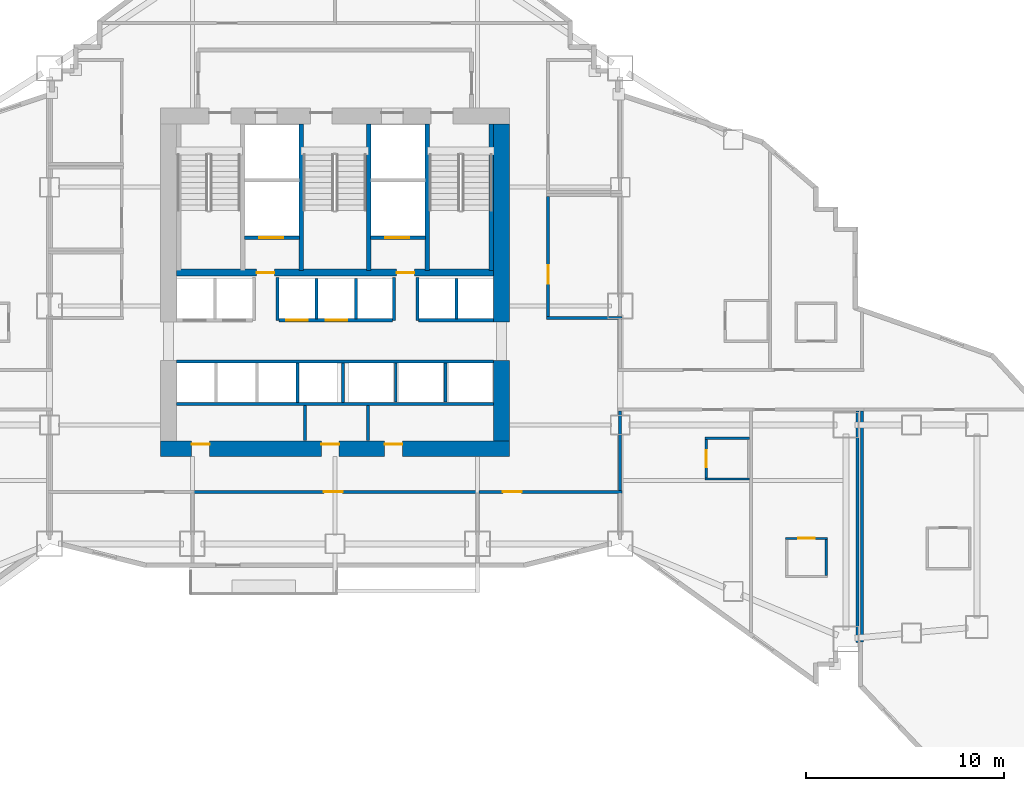
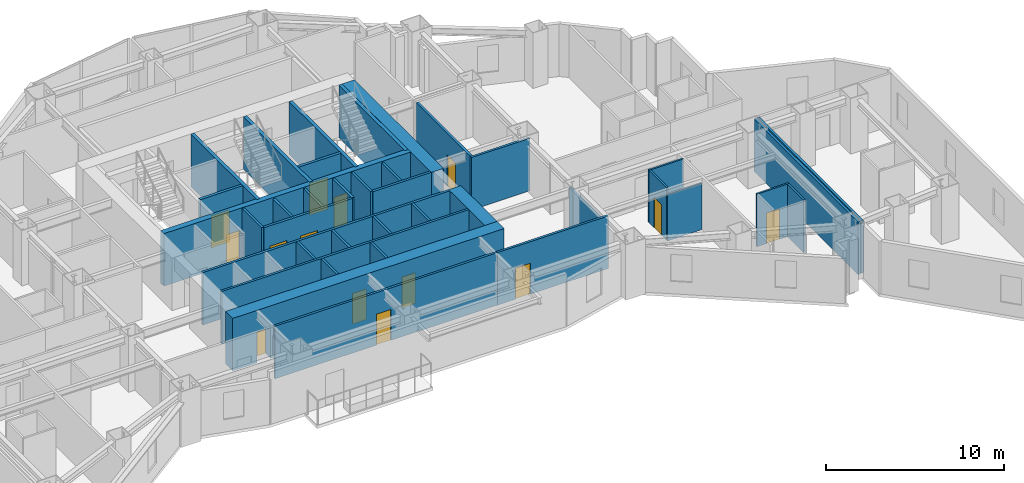
# One storey, part 9 of 17: 38 walls, 14 doors, 14 openings.
"""IFC4 building model written with IfcOpenShell, lengths in metres."""

import ifcopenshell
import ifcopenshell.guid

model = None  # the IFC model being written
_history = None  # IfcOwnerHistory: only IFC2X3 demands one
_inside = {}  # id of a spatial element -> (the spatial element, [elements in it])
_under = {}  # id of a project, library or spatial element -> (it, [spatial elements below it])
_declared = {}  # id of a project -> (the project, [libraries it declares])
_typed = {}  # id of a type object -> (the type object, [elements of that type])
_made_of = {}  # id of a material, layer set ... -> (it, [elements and type objects made of it])


def new_model(schema):
    """Start an empty IFC model of exactly this schema.

    Asked for "IFC4X3", IfcOpenShell would pick the latest addendum, in which some entities
    have other attributes; the version numbers below select the first issue.
    IFC2X3 requires an IfcOwnerHistory on every rooted entity: one is made here for all.
    """
    global model, _history
    if schema == "IFC4X3":
        model = ifcopenshell.file(schema_version=(4, 3, 0, 0))
    else:
        model = ifcopenshell.file(schema=schema)
    _inside.clear()
    _under.clear()
    _declared.clear()
    _typed.clear()
    _made_of.clear()
    _history = None
    if model.schema == "IFC2X3":
        org = make("IfcOrganization", Name="unknown")
        user = make(
            "IfcPersonAndOrganization",
            ThePerson=make("IfcPerson", FamilyName="unknown"),
            TheOrganization=org,
        )
        app = make(
            "IfcApplication",
            ApplicationDeveloper=org,
            Version="unknown",
            ApplicationFullName="unknown",
            ApplicationIdentifier="unknown",
        )
        _history = make(
            "IfcOwnerHistory",
            OwningUser=user,
            OwningApplication=app,
            ChangeAction="ADDED",
            CreationDate=0,
        )
    return model


def make(cls, **values):
    """One entity of the class cls with the attributes given. An attribute that is None is left unset."""
    return model.create_entity(
        cls, **{name: value for name, value in values.items() if value is not None}
    )


def rooted(cls, **values):
    """An entity with a GlobalId (a new one), such as an element, a storey or a relation."""
    return make(cls, GlobalId=ifcopenshell.guid.new(), OwnerHistory=_history, **values)


def si_unit(unit_type, name, prefix=None):
    """IfcSIUnit, for example si_unit("LENGTHUNIT", "METRE", prefix="MILLI")."""
    return make("IfcSIUnit", UnitType=unit_type, Prefix=prefix, Name=name)


def assignment(units):
    """IfcUnitAssignment: the units of a project."""
    return None if units is None else make("IfcUnitAssignment", Units=units)


def point(xyz):
    """IfcCartesianPoint."""
    return None if xyz is None else make("IfcCartesianPoint", Coordinates=xyz)


def direction(xyz):
    """IfcDirection."""
    return None if xyz is None else make("IfcDirection", DirectionRatios=xyz)


def frame(location, z_axis=None, x_axis=None):
    """IfcAxis2Placement3D, a coordinate frame: its origin and axes. An axis left out is left unset."""
    return make(
        "IfcAxis2Placement3D",
        Location=point(location),
        Axis=direction(z_axis),
        RefDirection=direction(x_axis),
    )


def frame_2d(location, x_axis=None):
    """IfcAxis2Placement2D, a coordinate frame in the plane: its origin and x axis."""
    return make(
        "IfcAxis2Placement2D", Location=point(location), RefDirection=direction(x_axis)
    )


def origin():
    """The frame at (0, 0, 0) with its axes left unset."""
    return frame((0.0, 0.0, 0.0))


def place(relative_to, where):
    """IfcLocalPlacement: puts the frame where relative to a parent placement (None: the world)."""
    return make(
        "IfcLocalPlacement", PlacementRelTo=relative_to, RelativePlacement=where
    )


def context(
    kind, dimensions, precision=None, world=None, true_north=None, identifier=None
):
    """IfcGeometricRepresentationContext, for example the 3D "Model" context."""
    return make(
        "IfcGeometricRepresentationContext",
        ContextIdentifier=identifier,
        ContextType=kind,
        CoordinateSpaceDimension=dimensions,
        Precision=precision,
        WorldCoordinateSystem=world,
        TrueNorth=true_north,
    )


def subcontext(parent, identifier, kind, view, scale=None):
    """IfcGeometricRepresentationSubContext, for example "Body" below "Model"."""
    return make(
        "IfcGeometricRepresentationSubContext",
        ContextIdentifier=identifier,
        ContextType=kind,
        ParentContext=parent,
        TargetScale=scale,
        TargetView=view,
    )


def project(units=None, contexts=None):
    """IfcProject with its units and contexts."""
    return rooted(
        "IfcProject",
        Name="project",
        RepresentationContexts=contexts,
        UnitsInContext=assignment(units),
    )


def spatial(cls, under=None, at=None, **own):
    """A site, building, storey or space (cls), placed at a placement, below another one or the project."""
    s = rooted(cls, ObjectPlacement=at, **own)
    if under is not None:
        _under.setdefault(under.id(), (under, []))[1].append(s)
    return s


def profile(cls, at=None, kind="AREA", **sizes):
    """A parametric profile (cls). Its sizes go by their IFC names, for example OverallWidth=200.0."""
    return make(cls, ProfileType=kind, Position=at, **sizes)


def rectangle(**sizes):
    """IfcRectangleProfileDef."""
    return profile("IfcRectangleProfileDef", **sizes)


def extrude(swept, where, along, depth):
    """IfcExtrudedAreaSolid: the profile swept, set in the frame where, extruded along a direction by depth."""
    return make(
        "IfcExtrudedAreaSolid",
        SweptArea=swept,
        Position=where,
        ExtrudedDirection=direction(along),
        Depth=depth,
    )


def shape(context_of_items, identifier, shape_type, items):
    """IfcShapeRepresentation: the items that make up one representation, for example the "Body"."""
    return make(
        "IfcShapeRepresentation",
        ContextOfItems=context_of_items,
        RepresentationIdentifier=identifier,
        RepresentationType=shape_type,
        Items=items,
    )


def material(Name=None, Category=None):
    """IfcMaterial."""
    return make("IfcMaterial", Name=Name, Category=Category)


def layer(
    of_material, thickness, ventilated=None, Name=None, Category=None, Priority=None
):
    """IfcMaterialLayer: one layer of a wall or slab, of a material (None: an air gap)."""
    return make(
        "IfcMaterialLayer",
        Material=of_material,
        LayerThickness=thickness,
        IsVentilated=ventilated,
        Name=Name,
        Category=Category,
        Priority=Priority,
    )


def layer_set(layers, Name=None):
    """IfcMaterialLayerSet."""
    return make("IfcMaterialLayerSet", MaterialLayers=layers, LayerSetName=Name)


def made_of(thing, what):
    """Note that an element or type object is made of a material, layer set ...; save() writes the relation."""
    if what is not None:
        _made_of.setdefault(what.id(), (what, []))[1].append(thing)
    return thing


def type_object(cls, material=None, **own):
    """A type object (cls), such as IfcWallType, which elements share."""
    return made_of(rooted(cls, **own), material)


def element(
    cls,
    number,
    at=None,
    inside=None,
    cuts=None,
    type_object=None,
    material=None,
    context=None,
    identifier="Body",
    shape_type=None,
    held_by="IfcProductDefinitionShape",
    body=None,
    shapes=None,
    **own,
):
    """One element of the class cls, such as IfcWall. Its Tag is "e" and its number.

    at: its placement. inside: the storey or other place that contains it. cuts: it is an
    opening in that element (IfcRelVoidsElement). A single representation is given by context,
    identifier, shape_type and body (its items); several are given by shapes. held_by: the class
    of the entity that holds the representations. save() writes the other relations.
    """
    e = rooted(cls, Tag="e%d" % number, ObjectPlacement=at, **own)
    if body is not None:
        shapes = [shape(context, identifier, shape_type, body)]
    if shapes is not None:
        e.Representation = make(held_by, Representations=shapes)
    if inside is not None:
        _inside.setdefault(inside.id(), (inside, []))[1].append(e)
    if cuts is not None:
        rooted(
            "IfcRelVoidsElement", RelatingBuildingElement=cuts, RelatedOpeningElement=e
        )
    if type_object is not None:
        _typed.setdefault(type_object.id(), (type_object, []))[1].append(e)
    return made_of(e, material)


def fill(opening, filler):
    """IfcRelFillsElement: the door or window that sits in an opening."""
    return rooted(
        "IfcRelFillsElement",
        RelatingOpeningElement=opening,
        RelatedBuildingElement=filler,
    )


def aggregate(whole, parts):
    """IfcRelAggregates: a whole, such as a stair, and the parts it consists of."""
    return rooted("IfcRelAggregates", RelatingObject=whole, RelatedObjects=parts)


def save(model, path):
    """Write the relations noted so far, then the file.

    IfcRelAggregates (storeys below a building ...), IfcRelContainedInSpatialStructure (elements
    in a storey), IfcRelDefinesByType, IfcRelAssociatesMaterial and IfcRelDeclares: one each for
    every whole, place, type object, material and project.
    """
    for whole, parts in _under.values():
        aggregate(whole, parts)
    for where, things in _inside.values():
        rooted(
            "IfcRelContainedInSpatialStructure",
            RelatedElements=things,
            RelatingStructure=where,
        )
    for kind, things in _typed.values():
        rooted("IfcRelDefinesByType", RelatedObjects=things, RelatingType=kind)
    for what, things in _made_of.values():
        rooted("IfcRelAssociatesMaterial", RelatedObjects=things, RelatingMaterial=what)
    for by, libraries in _declared.values():
        rooted("IfcRelDeclares", RelatingContext=by, RelatedDefinitions=libraries)
    model.write(path)


model = new_model("IFC4")

# Units and contexts
model_context = context("Model", 3, precision=1e-05, world=origin(), true_north=direction((0.0, 1.0)))
body_context = subcontext(model_context, "Body", "Model", "MODEL_VIEW")
ifc_project = project(units=[si_unit("LENGTHUNIT", "METRE"), si_unit("AREAUNIT", "SQUARE_METRE"), si_unit("VOLUMEUNIT", "CUBIC_METRE"), si_unit("PLANEANGLEUNIT", "RADIAN"), si_unit("MASSUNIT", "GRAM", prefix="KILO")], contexts=[model_context])

# Site, building, storey
site_placement = place(None, origin())
site = spatial("IfcSite", under=ifc_project, at=site_placement, CompositionType="ELEMENT")
building_placement = place(site_placement, origin())
building = spatial("IfcBuilding", under=site, at=building_placement, Name="Haolan Belvedere Tower", CompositionType="ELEMENT")
storey_placement = place(building_placement, frame((0.0, 0.0, 31.60009765625)))
storey = spatial("IfcBuildingStorey", under=building, at=storey_placement, Name="L07", CompositionType="ELEMENT", Elevation=31.60009765625)

# Wall, openings, doors
ifc_material_1 = material(Name="Concrete C70/85", Category="concrete")
ifc_layer_1 = layer(ifc_material_1, 0.800048828125, Name="Concrete C70/85")
ifc_layer_set_1 = layer_set([ifc_layer_1], Name="Concrete C70/85")
wall_type_1 = type_object("IfcWallType", Name="WL-CORE-800", PredefinedType="SHEAR", material=ifc_layer_set_1)
wall_1_placement = place(storey_placement, frame((29.60009765625, 26.39990234375, 0.0), z_axis=(0.0, 0.0, 1.0), x_axis=(1.0, 0.0, 0.0)))
wall_1 = element("IfcWall", 1, at=wall_1_placement, inside=storey, type_object=wall_type_1, Name="L07 central core south shear wall", PredefinedType="SHEAR", context=body_context, shape_type="SweptSolid", body=[
    extrude(rectangle(XDim=17.599853515625, YDim=0.800048828125, at=frame_2d((8.7998046875, 0.0))), origin(), (0.0, 0.0, 1.0), 3.599853515625),
])
opening_1_placement = place(wall_1_placement, frame((2.469970703125, 0.0, 0.0), z_axis=(0.0, 0.0, 1.0), x_axis=(-1.0, 0.0, 0.0)))
opening_1 = element("IfcOpeningElement", 2, at=opening_1_placement, cuts=wall_1, Name="Opening FD-05", PredefinedType="OPENING", context=body_context, shape_type="SweptSolid", body=[
    extrude(rectangle(XDim=0.89990234375, YDim=2.10009765625, at=frame_2d((0.449951171875, 1.050048828125))), frame((0.0, 0.409912109375, 0.0), z_axis=(0.0, -1.0, 0.0), x_axis=(1.0, 0.0, 0.0)), (0.0, 0.0, 1.0), 0.820068359375),
])
opening_2_placement = place(wall_1_placement, frame((9.010009765625, 0.0, 0.0), z_axis=(0.0, 0.0, 1.0), x_axis=(-1.0, 0.0, 0.0)))
opening_2 = element("IfcOpeningElement", 3, at=opening_2_placement, cuts=wall_1, Name="Opening FD-05", PredefinedType="OPENING", context=body_context, shape_type="SweptSolid", body=[
    extrude(rectangle(XDim=0.89990234375, YDim=2.10009765625, at=frame_2d((0.449951171875, 1.050048828125))), frame((0.0, 0.409912109375, 0.0), z_axis=(0.0, -1.0, 0.0), x_axis=(1.0, 0.0, 0.0)), (0.0, 0.0, 1.0), 0.820068359375),
])
opening_3_placement = place(wall_1_placement, frame((12.2099609375, 0.0, 0.0), z_axis=(0.0, 0.0, 1.0), x_axis=(-1.0, 0.0, 0.0)))
opening_3 = element("IfcOpeningElement", 4, at=opening_3_placement, cuts=wall_1, Name="Opening FD-05", PredefinedType="OPENING", context=body_context, shape_type="SweptSolid", body=[
    extrude(rectangle(XDim=0.89990234375, YDim=2.10009765625, at=frame_2d((0.449951171875, 1.050048828125))), frame((0.0, 0.409912109375, 0.0), z_axis=(0.0, -1.0, 0.0), x_axis=(1.0, 0.0, 0.0)), (0.0, 0.0, 1.0), 0.820068359375),
])
ifc_material_2 = material(Name="Galvanised fire-rated steel", Category="steel")
door_type_1 = type_object("IfcDoorType", Name="DR-FD60-900", OperationType="NOTDEFINED", PredefinedType="DOOR", material=ifc_material_2)
door_1_placement = place(opening_1_placement, origin())
door_1 = element("IfcDoor", 5, at=door_1_placement, inside=storey, type_object=door_type_1, Name="L07 door CD-L07-SCV-1", OperationType="SINGLE_SWING_LEFT", OverallHeight=2.10009765625, OverallWidth=0.89990234375, PredefinedType="DOOR", context=body_context, shape_type="SweptSolid", body=[
    extrude(rectangle(XDim=0.89990234375, YDim=2.10009765625, at=frame_2d((0.449951171875, 1.050048828125))), frame((0.0, -0.19482421875, 0.0), z_axis=(0.0, -1.0, 0.0), x_axis=(1.0, 0.0, 0.0)), (0.0, 0.0, 1.0), 0.050048828125),
])
fill(opening_1, door_1)
door_2_placement = place(opening_2_placement, origin())
door_2 = element("IfcDoor", 6, at=door_2_placement, inside=storey, type_object=door_type_1, Name="L07 door CD-L07-SCV-2", OperationType="SINGLE_SWING_RIGHT", OverallHeight=2.10009765625, OverallWidth=0.89990234375, PredefinedType="DOOR", context=body_context, shape_type="SweptSolid", body=[
    extrude(rectangle(XDim=0.89990234375, YDim=2.10009765625, at=frame_2d((0.449951171875, 1.050048828125))), frame((0.0, -0.19482421875, 0.0), z_axis=(0.0, -1.0, 0.0), x_axis=(1.0, 0.0, 0.0)), (0.0, 0.0, 1.0), 0.050048828125),
])
fill(opening_2, door_2)
door_3_placement = place(opening_3_placement, origin())
door_3 = element("IfcDoor", 7, at=door_3_placement, inside=storey, type_object=door_type_1, Name="L07 door CD-L07-SCV-3", OperationType="SINGLE_SWING_LEFT", OverallHeight=2.10009765625, OverallWidth=0.89990234375, PredefinedType="DOOR", context=body_context, shape_type="SweptSolid", body=[
    extrude(rectangle(XDim=0.89990234375, YDim=2.10009765625, at=frame_2d((0.449951171875, 1.050048828125))), frame((0.0, -0.19482421875, 0.0), z_axis=(0.0, -1.0, 0.0), x_axis=(1.0, 0.0, 0.0)), (0.0, 0.0, 1.0), 0.050048828125),
])
fill(opening_3, door_3)

# Walls
wall_2_placement = place(storey_placement, frame((46.800048828125, 26.800048828125, 0.0), z_axis=(0.0, 0.0, 1.0), x_axis=(0.0, 1.0, 0.0)))
element("IfcWall", 8, at=wall_2_placement, inside=storey, type_object=wall_type_1, Name="L07 central core shear wall ES", PredefinedType="SHEAR", context=body_context, shape_type="SweptSolid", body=[
    extrude(rectangle(XDim=4.050048828125, YDim=0.800048828125, at=frame_2d((2.02490234375, 0.0))), origin(), (0.0, 0.0, 1.0), 3.599853515625),
])
wall_3_placement = place(storey_placement, frame((46.800048828125, 32.800048828125, 0.0), z_axis=(0.0, 0.0, 1.0), x_axis=(0.0, 1.0, 0.0)))
element("IfcWall", 9, at=wall_3_placement, inside=storey, type_object=wall_type_1, Name="L07 central core shear wall EN", PredefinedType="SHEAR", context=body_context, shape_type="SweptSolid", body=[
    extrude(rectangle(XDim=10.0, YDim=0.800048828125, at=frame_2d((5.0, 0.0))), origin(), (0.0, 0.0, 1.0), 3.599853515625),
])
ifc_material_3 = material(Name="Double gypsum acoustic stud partition", Category="masonry")
ifc_layer_2 = layer(ifc_material_3, 0.14990234375, Name="Double gypsum acoustic stud partition")
ifc_layer_set_2 = layer_set([ifc_layer_2], Name="Double gypsum acoustic stud partition")
wall_type_2 = type_object("IfcWallType", Name="WL-PART-150", PredefinedType="PARTITIONING", material=ifc_layer_set_2)
wall_4_placement = place(storey_placement, frame((30.39990234375, 28.659912109375, 0.0), z_axis=(0.0, 0.0, 1.0), x_axis=(1.0, 0.0, 0.0)))
element("IfcWall", 10, at=wall_4_placement, inside=storey, type_object=wall_type_2, Name="L07 interior partition IW-L07-SSTRIP-N", PredefinedType="PARTITIONING", context=body_context, shape_type="SweptSolid", body=[
    extrude(rectangle(XDim=16.0, YDim=0.14990234375, at=frame_2d((8.0, 0.0))), origin(), (0.0, 0.0, 1.0), 3.599853515625),
])
for number, where, z_axis, x_axis, name in (
    (11, (36.8798828125, 26.81005859375, 0.0), (0.0, 0.0, 1.0), (0.0, 1.0, 0.0), "L07 interior partition IW-L07-SCV-DIV-1"),
    (12, (40.080078125, 26.81005859375, 0.0), (0.0, 0.0, 1.0), (0.0, 1.0, 0.0), "L07 interior partition IW-L07-SCV-DIV-2"),
):
    element("IfcWall", number, at=place(storey_placement, frame(where, z_axis=z_axis, x_axis=x_axis)), inside=storey, type_object=wall_type_2, Name=name, PredefinedType="PARTITIONING", context=body_context, shape_type="SweptSolid", body=[
        extrude(rectangle(XDim=1.77001953125, YDim=0.14990234375, at=frame_2d((0.885009765625, 0.0))), origin(), (0.0, 0.0, 1.0), 3.599853515625),
    ])
wall_5_placement = place(storey_placement, frame((49.080078125, 33.0, 0.0), z_axis=(0.0, 0.0, 1.0), x_axis=(1.0, 0.0, 0.0)))
element("IfcWall", 13, at=wall_5_placement, inside=storey, type_object=wall_type_2, Name="L07 interior partition IW-L07-HSK-S", PredefinedType="PARTITIONING", context=body_context, shape_type="SweptSolid", body=[
    extrude(rectangle(XDim=3.7998046875, YDim=0.14990234375, at=frame_2d((1.89990234375, 0.0))), origin(), (0.0, 0.0, 1.0), 3.599853515625),
])

# Wall, opening, door
wall_6_placement = place(storey_placement, frame((49.159912109375, 33.06005859375, 0.0), z_axis=(0.0, 0.0, 1.0), x_axis=(0.0, 1.0, 0.0)))
wall_6 = element("IfcWall", 14, at=wall_6_placement, inside=storey, type_object=wall_type_2, Name="L07 interior partition IW-L07-HSK-W", PredefinedType="PARTITIONING", context=body_context, shape_type="SweptSolid", body=[
    extrude(rectangle(XDim=6.079833984375, YDim=0.14990234375, at=frame_2d((3.0400390625, 0.0))), origin(), (0.0, 0.0, 1.0), 3.599853515625),
])
opening_4_placement = place(wall_6_placement, frame((1.659912109375, 0.0, 0.0)))
opening_4 = element("IfcOpeningElement", 15, at=opening_4_placement, cuts=wall_6, Name="Opening ID-03", PredefinedType="OPENING", context=body_context, shape_type="SweptSolid", body=[
    extrude(rectangle(XDim=0.949951171875, YDim=2.1201171875, at=frame_2d((0.47509765625, 1.06005859375))), frame((0.0, 0.0849609375, 0.0), z_axis=(0.0, -1.0, 0.0), x_axis=(1.0, 0.0, 0.0)), (0.0, 0.0, 1.0), 0.169921875),
])
ifc_material_4 = material(Name="Painted solid-core timber", Category="wood")
door_type_2 = type_object("IfcDoorType", Name="DR-INT-950", OperationType="NOTDEFINED", PredefinedType="DOOR", material=ifc_material_4)
door_4_placement = place(opening_4_placement, origin())
door_4 = element("IfcDoor", 16, at=door_4_placement, inside=storey, type_object=door_type_2, Name="L07 door ID-L07-HSK", OperationType="SINGLE_SWING_RIGHT", OverallHeight=2.1201171875, OverallWidth=0.949951171875, PredefinedType="DOOR", context=body_context, shape_type="SweptSolid", body=[
    extrude(rectangle(XDim=0.949951171875, YDim=2.1201171875, at=frame_2d((0.47509765625, 1.06005859375))), frame((0.0, 0.02490234375, 0.0), z_axis=(0.0, -1.0, 0.0), x_axis=(1.0, 0.0, 0.0)), (0.0, 0.0, 1.0), 0.050048828125),
])
fill(opening_4, door_4)

wall_7_placement = place(storey_placement, frame((31.281982421875, 24.219970703125, 0.0), z_axis=(0.0, 0.0, 1.0), x_axis=(1.0, 0.0, 0.0)))
wall_7 = element("IfcWall", 17, at=wall_7_placement, inside=storey, type_object=wall_type_2, Name="L07 interior partition IW-L07-KS2-N", PredefinedType="PARTITIONING", context=body_context, shape_type="SweptSolid", body=[
    extrude(rectangle(XDim=14.39794921875, YDim=0.14990234375, at=frame_2d((7.198974609375, 0.0))), origin(), (0.0, 0.0, 1.0), 3.599853515625),
])
opening_5_placement = place(wall_7_placement, frame((7.512939453125, 0.0, 0.0), z_axis=(0.0, 0.0, 1.0), x_axis=(-1.0, 0.0, 0.0)))
opening_5 = element("IfcOpeningElement", 18, at=opening_5_placement, cuts=wall_7, Name="Opening ID-03", PredefinedType="OPENING", context=body_context, shape_type="SweptSolid", body=[
    extrude(rectangle(XDim=0.949951171875, YDim=2.1201171875, at=frame_2d((0.47509765625, 1.06005859375))), frame((0.0, 0.0849609375, 0.0), z_axis=(0.0, -1.0, 0.0), x_axis=(1.0, 0.0, 0.0)), (0.0, 0.0, 1.0), 0.169921875),
])
door_5_placement = place(opening_5_placement, origin())
door_5 = element("IfcDoor", 19, at=door_5_placement, inside=storey, type_object=door_type_2, Name="L07 door ID-L07-KS2", OperationType="SINGLE_SWING_RIGHT", OverallHeight=2.1201171875, OverallWidth=0.949951171875, PredefinedType="DOOR", context=body_context, shape_type="SweptSolid", body=[
    extrude(rectangle(XDim=0.949951171875, YDim=2.1201171875, at=frame_2d((0.47509765625, 1.06005859375))), frame((0.0, 0.02490234375, 0.0), z_axis=(0.0, -1.0, 0.0), x_axis=(1.0, 0.0, 0.0)), (0.0, 0.0, 1.0), 0.050048828125),
])
fill(opening_5, door_5)

wall_8_placement = place(storey_placement, frame((45.681884765625, 24.219970703125, 0.0), z_axis=(0.0, 0.0, 1.0), x_axis=(1.0, 0.0, 0.0)))
wall_8 = element("IfcWall", 20, at=wall_8_placement, inside=storey, type_object=wall_type_2, Name="L07 interior partition IW-L07-KS3-N", PredefinedType="PARTITIONING", context=body_context, shape_type="SweptSolid", body=[
    extrude(rectangle(XDim=7.197998046875, YDim=0.14990234375, at=frame_2d((3.59912109375, 0.0))), origin(), (0.0, 0.0, 1.0), 3.599853515625),
])
opening_6_placement = place(wall_8_placement, frame((2.14306640625, 0.0, 0.0), z_axis=(0.0, 0.0, 1.0), x_axis=(-1.0, 0.0, 0.0)))
opening_6 = element("IfcOpeningElement", 21, at=opening_6_placement, cuts=wall_8, Name="Opening ID-03", PredefinedType="OPENING", context=body_context, shape_type="SweptSolid", body=[
    extrude(rectangle(XDim=0.949951171875, YDim=2.1201171875, at=frame_2d((0.47509765625, 1.06005859375))), frame((0.0, 0.0849609375, 0.0), z_axis=(0.0, -1.0, 0.0), x_axis=(1.0, 0.0, 0.0)), (0.0, 0.0, 1.0), 0.169921875),
])
door_6_placement = place(opening_6_placement, origin())
door_6 = element("IfcDoor", 22, at=door_6_placement, inside=storey, type_object=door_type_2, Name="L07 door ID-L07-KS3", OperationType="SINGLE_SWING_LEFT", OverallHeight=2.1201171875, OverallWidth=0.949951171875, PredefinedType="DOOR", context=body_context, shape_type="SweptSolid", body=[
    extrude(rectangle(XDim=0.949951171875, YDim=2.1201171875, at=frame_2d((0.47509765625, 1.06005859375))), frame((0.0, 0.02490234375, 0.0), z_axis=(0.0, -1.0, 0.0), x_axis=(1.0, 0.0, 0.0)), (0.0, 0.0, 1.0), 0.050048828125),
])
fill(opening_6, door_6)

# Walls
wall_9_placement = place(storey_placement, frame((52.800048828125, 24.280029296875, 0.0), z_axis=(0.0, 0.0, 1.0), x_axis=(0.0, 1.0, 0.0)))
element("IfcWall", 23, at=wall_9_placement, inside=storey, type_object=wall_type_2, Name="L07 interior partition IW-L07-T4S1-W", PredefinedType="PARTITIONING", context=body_context, shape_type="SweptSolid", body=[
    extrude(rectangle(XDim=4.030029296875, YDim=0.14990234375, at=frame_2d((2.01513671875, 0.0))), origin(), (0.0, 0.0, 1.0), 3.096923828125),
])
wall_10_placement = place(storey_placement, frame((65.0, 16.64208984375, 0.0), z_axis=(0.0, 0.0, 1.0), x_axis=(0.0, 1.0, 0.0)))
element("IfcWall", 24, at=wall_10_placement, inside=storey, type_object=wall_type_2, Name="L07 interior partition IW-L07-T4S2-E", PredefinedType="PARTITIONING", context=body_context, shape_type="SweptSolid", body=[
    extrude(rectangle(XDim=11.66796875, YDim=0.14990234375, at=frame_2d((5.833984375, 0.0))), origin(), (0.0, 0.0, 1.0), 3.599853515625),
])
wall_11_placement = place(storey_placement, frame((64.780029296875, 16.612060546875, 0.0), z_axis=(0.0, 0.0, 1.0), x_axis=(0.0, 1.0, 0.0)))
element("IfcWall", 25, at=wall_11_placement, inside=storey, type_object=wall_type_2, Name="L07 interior partition IW-L07-T5S1-W", PredefinedType="PARTITIONING", context=body_context, shape_type="SweptSolid", body=[
    extrude(rectangle(XDim=11.697998046875, YDim=0.14990234375, at=frame_2d((5.84912109375, 0.0))), origin(), (0.0, 0.0, 1.0), 3.599853515625),
])
ifc_material_5 = material(Name="Gypsum fire shaftwall assembly", Category="masonry")
ifc_layer_3 = layer(ifc_material_5, 0.1650390625, Name="Gypsum fire shaftwall assembly")
ifc_layer_set_3 = layer_set([ifc_layer_3], Name="Gypsum fire shaftwall assembly")
wall_type_3 = type_object("IfcWallType", Name="WL-SHAFT-160", PredefinedType="SOLIDWALL", material=ifc_layer_set_3)
for number, where, z_axis, x_axis, name in (
    (26, (35.510009765625, 32.8798828125, 0.0), (0.0, 0.0, 1.0), (0.0, 1.0, 0.0), "L07 interior partition IW-L07-SVP-E-SV1"),
    (27, (41.3701171875, 32.8798828125, 0.0), (0.0, 0.0, 1.0), (0.0, 1.0, 0.0), "L07 interior partition IW-L07-SVP-W-SV2"),
    (28, (42.570068359375, 32.8798828125, 0.0), (0.0, 0.0, 1.0), (0.0, 1.0, 0.0), "L07 interior partition IW-L07-SVP-E-SV2"),
):
    element("IfcWall", number, at=place(storey_placement, frame(where, z_axis=z_axis, x_axis=x_axis)), inside=storey, type_object=wall_type_3, Name=name, PredefinedType="SOLIDWALL", context=body_context, shape_type="SweptSolid", body=[
        extrude(rectangle(XDim=2.170166015625, YDim=0.14990234375, at=frame_2d((1.0849609375, 0.0))), origin(), (0.0, 0.0, 1.0), 3.599853515625),
    ])

# Wall, openings, doors
wall_12_placement = place(storey_placement, frame((35.570068359375, 32.8798828125, 0.0), z_axis=(0.0, 0.0, 1.0), x_axis=(1.0, 0.0, 0.0)))
wall_12 = element("IfcWall", 29, at=wall_12_placement, inside=storey, type_object=wall_type_3, Name="L07 interior partition IW-L07-ROW-PN2", PredefinedType="SOLIDWALL", context=body_context, shape_type="SweptSolid", body=[
    extrude(rectangle(XDim=5.739990234375, YDim=0.159912109375, at=frame_2d((2.8701171875, 0.0))), origin(), (0.0, 0.0, 1.0), 3.599853515625),
])
opening_7_placement = place(wall_12_placement, frame((1.47021484375, 0.0, 0.0), z_axis=(0.0, 0.0, 1.0), x_axis=(-1.0, 0.0, 0.0)))
opening_7 = element("IfcOpeningElement", 30, at=opening_7_placement, cuts=wall_12, Name="Opening LD-01", PredefinedType="OPENING", context=body_context, shape_type="SweptSolid", body=[
    extrude(rectangle(XDim=1.10009765625, YDim=2.199951171875, at=frame_2d((0.550048828125, 1.10009765625))), frame((0.0, 0.08984375, 0.0), z_axis=(0.0, -1.0, 0.0), x_axis=(1.0, 0.0, 0.0)), (0.0, 0.0, 1.0), 0.179931640625),
])
opening_8_placement = place(wall_12_placement, frame((3.460205078125, 0.0, 0.0), z_axis=(0.0, 0.0, 1.0), x_axis=(-1.0, 0.0, 0.0)))
opening_8 = element("IfcOpeningElement", 31, at=opening_8_placement, cuts=wall_12, Name="Opening LD-01", PredefinedType="OPENING", context=body_context, shape_type="SweptSolid", body=[
    extrude(rectangle(XDim=1.10009765625, YDim=2.199951171875, at=frame_2d((0.550048828125, 1.10009765625))), frame((0.0, 0.08984375, 0.0), z_axis=(0.0, -1.0, 0.0), x_axis=(1.0, 0.0, 0.0)), (0.0, 0.0, 1.0), 0.179931640625),
])
ifc_material_6 = material(Name="Brushed champagne stainless steel 316L", Category="steel")
door_type_3 = type_object("IfcDoorType", Name="DR-LIFT-1100", OperationType="SLIDING_TO_LEFT", PredefinedType="DOOR", material=ifc_material_6)
door_7_placement = place(opening_7_placement, origin())
door_7 = element("IfcDoor", 32, at=door_7_placement, inside=storey, type_object=door_type_3, Name="L07 door ID-L07-LD-PL3", OperationType="SLIDING_TO_LEFT", OverallHeight=2.199951171875, OverallWidth=1.10009765625, PredefinedType="DOOR", context=body_context, shape_type="SweptSolid", body=[
    extrude(rectangle(XDim=1.10009765625, YDim=2.199951171875, at=frame_2d((0.550048828125, 1.10009765625))), frame((0.0, 0.02490234375, 0.0), z_axis=(0.0, -1.0, 0.0), x_axis=(1.0, 0.0, 0.0)), (0.0, 0.0, 1.0), 0.050048828125),
])
fill(opening_7, door_7)
door_8_placement = place(opening_8_placement, origin())
door_8 = element("IfcDoor", 33, at=door_8_placement, inside=storey, type_object=door_type_3, Name="L07 door ID-L07-LD-PL4", OperationType="SLIDING_TO_LEFT", OverallHeight=2.199951171875, OverallWidth=1.10009765625, PredefinedType="DOOR", context=body_context, shape_type="SweptSolid", body=[
    extrude(rectangle(XDim=1.10009765625, YDim=2.199951171875, at=frame_2d((0.550048828125, 1.10009765625))), frame((0.0, 0.02490234375, 0.0), z_axis=(0.0, -1.0, 0.0), x_axis=(1.0, 0.0, 0.0)), (0.0, 0.0, 1.0), 0.050048828125),
])
fill(opening_8, door_8)

# Walls
wall_13_placement = place(storey_placement, frame((42.6298828125, 32.8798828125, 0.0), z_axis=(0.0, 0.0, 1.0), x_axis=(1.0, 0.0, 0.0)))
element("IfcWall", 34, at=wall_13_placement, inside=storey, type_object=wall_type_3, Name="L07 interior partition IW-L07-ROW-PN3", PredefinedType="SOLIDWALL", context=body_context, shape_type="SweptSolid", body=[
    extrude(rectangle(XDim=3.77001953125, YDim=0.159912109375, at=frame_2d((1.885009765625, 0.0))), origin(), (0.0, 0.0, 1.0), 3.599853515625),
])
for number, where, z_axis, x_axis, name in (
    (35, (37.47998046875, 32.949951171875, 0.0), (0.0, 0.0, 1.0), (0.0, 1.0, 0.0), "L07 interior partition IW-L07-DIV-PL3"),
    (36, (39.469970703125, 32.949951171875, 0.0), (0.0, 0.0, 1.0), (0.0, 1.0, 0.0), "L07 interior partition IW-L07-DIV-PL4"),
    (37, (44.530029296875, 32.949951171875, 0.0), (0.0, 0.0, 1.0), (0.0, 1.0, 0.0), "L07 interior partition IW-L07-DIV-PH2"),
):
    element("IfcWall", number, at=place(storey_placement, frame(where, z_axis=z_axis, x_axis=x_axis)), inside=storey, type_object=wall_type_3, Name=name, PredefinedType="SOLIDWALL", context=body_context, shape_type="SweptSolid", body=[
        extrude(rectangle(XDim=2.050048828125, YDim=0.14990234375, at=frame_2d((1.02490234375, 0.0))), origin(), (0.0, 0.0, 1.0), 3.599853515625),
    ])
wall_14_placement = place(storey_placement, frame((30.39990234375, 30.800048828125, 0.0), z_axis=(0.0, 0.0, 1.0), x_axis=(1.0, 0.0, 0.0)))
element("IfcWall", 38, at=wall_14_placement, inside=storey, type_object=wall_type_3, Name="L07 interior partition IW-L07-ROW-PS", PredefinedType="SOLIDWALL", context=body_context, shape_type="SweptSolid", body=[
    extrude(rectangle(XDim=16.0, YDim=0.159912109375, at=frame_2d((8.0, 0.0))), origin(), (0.0, 0.0, 1.0), 3.599853515625),
])
for number, where, z_axis, x_axis, name in (
    (39, (36.52001953125, 28.735107421875, 0.0), (0.0, 0.0, 1.0), (0.0, 1.0, 0.0), "L07 interior partition IW-L07-DIV-PM3"),
    (40, (38.800048828125, 28.735107421875, 0.0), (0.0, 0.0, 1.0), (0.0, 1.0, 0.0), "L07 interior partition IW-L07-DIV-PM4"),
):
    element("IfcWall", number, at=place(storey_placement, frame(where, z_axis=z_axis, x_axis=x_axis)), inside=storey, type_object=wall_type_3, Name=name, PredefinedType="SOLIDWALL", context=body_context, shape_type="SweptSolid", body=[
        extrude(rectangle(XDim=1.98486328125, YDim=0.14990234375, at=frame_2d((0.992431640625, 0.0))), origin(), (0.0, 0.0, 1.0), 3.599853515625),
    ])
for number, where, z_axis, x_axis, name in (
    (41, (41.469970703125, 28.75, 0.0), (0.0, 0.0, 1.0), (0.0, 1.0, 0.0), "L07 interior partition IW-L07-DIV-OB1"),
    (42, (43.97998046875, 28.75, 0.0), (0.0, 0.0, 1.0), (0.0, 1.0, 0.0), "L07 interior partition IW-L07-DIV-OB2"),
):
    element("IfcWall", number, at=place(storey_placement, frame(where, z_axis=z_axis, x_axis=x_axis)), inside=storey, type_object=wall_type_3, Name=name, PredefinedType="SOLIDWALL", context=body_context, shape_type="SweptSolid", body=[
        extrude(rectangle(XDim=1.985107421875, YDim=0.14990234375, at=frame_2d((0.99267578125, 0.0))), origin(), (0.0, 0.0, 1.0), 3.599853515625),
    ])

# Wall, opening, door
ifc_material_7 = material(Name="Precast concrete C40/50", Category="concrete")
ifc_layer_4 = layer(ifc_material_7, 0.179931640625, Name="Precast concrete C40/50")
ifc_layer_set_4 = layer_set([ifc_layer_4], Name="Precast concrete C40/50")
wall_type_4 = type_object("IfcWallType", Name="WL-SHAFT-180", PredefinedType="SOLIDWALL", material=ifc_layer_set_4)
wall_15_placement = place(storey_placement, frame((33.8349609375, 37.050048828125, 0.0), z_axis=(0.0, 0.0, 1.0), x_axis=(1.0, 0.0, 0.0)))
wall_15 = element("IfcWall", 43, at=wall_15_placement, inside=storey, type_object=wall_type_4, Name="L07 interior partition IW-L07-SV1-S", PredefinedType="SOLIDWALL", context=body_context, shape_type="SweptSolid", body=[
    extrude(rectangle(XDim=2.77001953125, YDim=0.179931640625, at=frame_2d((1.385009765625, 0.0))), origin(), (0.0, 0.0, 1.0), 3.599853515625),
])
opening_9_placement = place(wall_15_placement, frame((1.945068359375, 0.0, 0.0), z_axis=(0.0, 0.0, 1.0), x_axis=(-1.0, 0.0, 0.0)))
opening_9 = element("IfcOpeningElement", 44, at=opening_9_placement, cuts=wall_15, Name="Opening LD-02", PredefinedType="OPENING", context=body_context, shape_type="SweptSolid", body=[
    extrude(rectangle(XDim=1.199951171875, YDim=2.199951171875, at=frame_2d((0.60009765625, 1.10009765625))), frame((0.0, 0.099853515625, 0.0), z_axis=(0.0, -1.0, 0.0), x_axis=(1.0, 0.0, 0.0)), (0.0, 0.0, 1.0), 0.199951171875),
])
door_type_4 = type_object("IfcDoorType", Name="DR-LIFT-1200", OperationType="SLIDING_TO_RIGHT", PredefinedType="DOOR", material=ifc_material_6)
door_9_placement = place(opening_9_placement, origin())
door_9 = element("IfcDoor", 45, at=door_9_placement, inside=storey, type_object=door_type_4, Name="L07 door ID-L07-LD-SV1", OperationType="SLIDING_TO_RIGHT", OverallHeight=2.199951171875, OverallWidth=1.199951171875, PredefinedType="DOOR", context=body_context, shape_type="SweptSolid", body=[
    extrude(rectangle(XDim=1.199951171875, YDim=2.199951171875, at=frame_2d((0.60009765625, 1.10009765625))), frame((0.0, 0.02490234375, 0.0), z_axis=(0.0, -1.0, 0.0), x_axis=(1.0, 0.0, 0.0)), (0.0, 0.0, 1.0), 0.050048828125),
])
fill(opening_9, door_9)

wall_16_placement = place(storey_placement, frame((40.195068359375, 37.050048828125, 0.0), z_axis=(0.0, 0.0, 1.0), x_axis=(1.0, 0.0, 0.0)))
wall_16 = element("IfcWall", 46, at=wall_16_placement, inside=storey, type_object=wall_type_4, Name="L07 interior partition IW-L07-SV2-S", PredefinedType="SOLIDWALL", context=body_context, shape_type="SweptSolid", body=[
    extrude(rectangle(XDim=2.77001953125, YDim=0.179931640625, at=frame_2d((1.385009765625, 0.0))), origin(), (0.0, 0.0, 1.0), 3.599853515625),
])
opening_10_placement = place(wall_16_placement, frame((1.945068359375, 0.0, 0.0), z_axis=(0.0, 0.0, 1.0), x_axis=(-1.0, 0.0, 0.0)))
opening_10 = element("IfcOpeningElement", 47, at=opening_10_placement, cuts=wall_16, Name="Opening LD-02", PredefinedType="OPENING", context=body_context, shape_type="SweptSolid", body=[
    extrude(rectangle(XDim=1.199951171875, YDim=2.199951171875, at=frame_2d((0.60009765625, 1.10009765625))), frame((0.0, 0.099853515625, 0.0), z_axis=(0.0, -1.0, 0.0), x_axis=(1.0, 0.0, 0.0)), (0.0, 0.0, 1.0), 0.199951171875),
])
door_10_placement = place(opening_10_placement, origin())
door_10 = element("IfcDoor", 48, at=door_10_placement, inside=storey, type_object=door_type_4, Name="L07 door ID-L07-LD-SV2", OperationType="SLIDING_TO_RIGHT", OverallHeight=2.199951171875, OverallWidth=1.199951171875, PredefinedType="DOOR", context=body_context, shape_type="SweptSolid", body=[
    extrude(rectangle(XDim=1.199951171875, YDim=2.199951171875, at=frame_2d((0.60009765625, 1.10009765625))), frame((0.0, 0.02490234375, 0.0), z_axis=(0.0, -1.0, 0.0), x_axis=(1.0, 0.0, 0.0)), (0.0, 0.0, 1.0), 0.050048828125),
])
fill(opening_10, door_10)

# Walls
ifc_material_8 = material(Name="Concrete C50/60", Category="concrete")
ifc_layer_5 = layer(ifc_material_8, 0.219970703125, Name="Concrete C50/60")
ifc_layer_set_5 = layer_set([ifc_layer_5], Name="Concrete C50/60")
wall_type_5 = type_object("IfcWallType", Name="WL-STAIR-220", PredefinedType="SHEAR", material=ifc_layer_set_5)
for number, where, z_axis, x_axis, name in (
    (49, (36.699951171875, 35.389892578125, 0.0), (0.0, 0.0, 1.0), (0.0, 1.0, 0.0), "L07 structural stair core wall ST3W"),
    (50, (40.10009765625, 35.389892578125, 0.0), (0.0, 0.0, 1.0), (0.0, 1.0, 0.0), "L07 structural stair core wall ST3E"),
    (51, (43.06005859375, 35.389892578125, 0.0), (0.0, 0.0, 1.0), (0.0, 1.0, 0.0), "L07 structural stair core wall ST2W"),
    (52, (46.2880859375, 35.389892578125, 0.0), (0.0, 0.0, 1.0), (0.0, 1.0, 0.0), "L07 structural stair core wall ST2E"),
):
    element("IfcWall", number, at=place(storey_placement, frame(where, z_axis=z_axis, x_axis=x_axis)), inside=storey, type_object=wall_type_5, Name=name, PredefinedType="SHEAR", context=body_context, shape_type="SweptSolid", body=[
        extrude(rectangle(XDim=7.41015625, YDim=0.219970703125, at=frame_2d((3.705078125, 0.0))), origin(), (0.0, 0.0, 1.0), 3.599853515625),
    ])

# Wall, openings, doors
ifc_material_9 = material(Name="Concrete C60/75", Category="concrete")
ifc_layer_6 = layer(ifc_material_9, 0.360107421875, Name="Concrete C60/75")
ifc_layer_set_6 = layer_set([ifc_layer_6], Name="Concrete C60/75")
wall_type_6 = type_object("IfcWallType", Name="WL-WEB-350", PredefinedType="SHEAR", material=ifc_layer_set_6)
wall_17_placement = place(storey_placement, frame((30.39990234375, 35.2900390625, 0.0), z_axis=(0.0, 0.0, 1.0), x_axis=(1.0, 0.0, 0.0)))
wall_17 = element("IfcWall", 53, at=wall_17_placement, inside=storey, type_object=wall_type_6, Name="L07 central core internal shear web", PredefinedType="SHEAR", context=body_context, shape_type="SweptSolid", body=[
    extrude(rectangle(XDim=16.0, YDim=0.360107421875, at=frame_2d((8.0, 0.0))), origin(), (0.0, 0.0, 1.0), 3.599853515625),
])
opening_11_placement = place(wall_17_placement, frame((4.949951171875, 0.0, 0.0), z_axis=(0.0, 0.0, 1.0), x_axis=(-1.0, 0.0, 0.0)))
opening_11 = element("IfcOpeningElement", 54, at=opening_11_placement, cuts=wall_17, Name="Opening FD-05", PredefinedType="OPENING", context=body_context, shape_type="SweptSolid", body=[
    extrude(rectangle(XDim=0.89990234375, YDim=2.10009765625, at=frame_2d((0.449951171875, 1.050048828125))), frame((0.0, 0.18994140625, 0.0), z_axis=(0.0, -1.0, 0.0), x_axis=(1.0, 0.0, 0.0)), (0.0, 0.0, 1.0), 0.380126953125),
])
opening_12_placement = place(wall_17_placement, frame((12.010009765625, 0.0, 0.0), z_axis=(0.0, 0.0, 1.0), x_axis=(-1.0, 0.0, 0.0)))
opening_12 = element("IfcOpeningElement", 55, at=opening_12_placement, cuts=wall_17, Name="Opening FD-05", PredefinedType="OPENING", context=body_context, shape_type="SweptSolid", body=[
    extrude(rectangle(XDim=0.89990234375, YDim=2.10009765625, at=frame_2d((0.449951171875, 1.050048828125))), frame((0.0, 0.18994140625, 0.0), z_axis=(0.0, -1.0, 0.0), x_axis=(1.0, 0.0, 0.0)), (0.0, 0.0, 1.0), 0.380126953125),
])
door_11_placement = place(opening_11_placement, origin())
door_11 = element("IfcDoor", 56, at=door_11_placement, inside=storey, type_object=door_type_1, Name="L07 door CD-L07-SVL-SV1", OperationType="SINGLE_SWING_RIGHT", OverallHeight=2.10009765625, OverallWidth=0.89990234375, PredefinedType="DOOR", context=body_context, shape_type="SweptSolid", body=[
    extrude(rectangle(XDim=0.89990234375, YDim=2.10009765625, at=frame_2d((0.449951171875, 1.050048828125))), frame((0.0, 0.02490234375, 0.0), z_axis=(0.0, -1.0, 0.0), x_axis=(1.0, 0.0, 0.0)), (0.0, 0.0, 1.0), 0.050048828125),
])
fill(opening_11, door_11)
door_12_placement = place(opening_12_placement, origin())
door_12 = element("IfcDoor", 57, at=door_12_placement, inside=storey, type_object=door_type_1, Name="L07 door CD-L07-SVL-SV2", OperationType="SINGLE_SWING_RIGHT", OverallHeight=2.10009765625, OverallWidth=0.89990234375, PredefinedType="DOOR", context=body_context, shape_type="SweptSolid", body=[
    extrude(rectangle(XDim=0.89990234375, YDim=2.10009765625, at=frame_2d((0.449951171875, 1.050048828125))), frame((0.0, 0.02490234375, 0.0), z_axis=(0.0, -1.0, 0.0), x_axis=(1.0, 0.0, 0.0)), (0.0, 0.0, 1.0), 0.050048828125),
])
fill(opening_12, door_12)

# Walls
ifc_material_10 = material(Name="Moisture-resistant gypsum tile partition", Category="masonry")
ifc_layer_7 = layer(ifc_material_10, 0.1201171875, Name="Moisture-resistant gypsum tile partition")
ifc_layer_set_7 = layer_set([ifc_layer_7], Name="Moisture-resistant gypsum tile partition")
wall_type_7 = type_object("IfcWallType", Name="WL-WET-120", PredefinedType="PARTITIONING", material=ifc_layer_set_7)
wall_18_placement = place(storey_placement, frame((57.080078125, 26.919921875, 0.0), z_axis=(0.0, 0.0, 1.0), x_axis=(1.0, 0.0, 0.0)))
element("IfcWall", 58, at=wall_18_placement, inside=storey, type_object=wall_type_7, Name="L07 interior partition IW-L07-T4S1-BN", PredefinedType="PARTITIONING", context=body_context, shape_type="SweptSolid", body=[
    extrude(rectangle(XDim=2.25, YDim=0.1201171875, at=frame_2d((1.125, 0.0))), origin(), (0.0, 0.0, 1.0), 3.599853515625),
])
wall_19_placement = place(storey_placement, frame((57.080078125, 24.8701171875, 0.0), z_axis=(0.0, 0.0, 1.0), x_axis=(1.0, 0.0, 0.0)))
element("IfcWall", 59, at=wall_19_placement, inside=storey, type_object=wall_type_7, Name="L07 interior partition IW-L07-T4S1-BS", PredefinedType="PARTITIONING", context=body_context, shape_type="SweptSolid", body=[
    extrude(rectangle(XDim=2.25, YDim=0.1201171875, at=frame_2d((1.125, 0.0))), origin(), (0.0, 0.0, 1.0), 3.184814453125),
])

# Wall, opening, door
wall_20_placement = place(storey_placement, frame((57.139892578125, 24.9150390625, 0.0), z_axis=(0.0, 0.0, 1.0), x_axis=(0.0, 1.0, 0.0)))
wall_20 = element("IfcWall", 60, at=wall_20_placement, inside=storey, type_object=wall_type_7, Name="L07 interior partition IW-L07-T4S1-BW", PredefinedType="PARTITIONING", context=body_context, shape_type="SweptSolid", body=[
    extrude(rectangle(XDim=1.9599609375, YDim=0.1201171875, at=frame_2d((0.97998046875, 0.0))), origin(), (0.0, 0.0, 1.0), 3.599853515625),
])
opening_13_placement = place(wall_20_placement, frame((1.405029296875, 0.0, 0.0), z_axis=(0.0, 0.0, 1.0), x_axis=(-1.0, 0.0, 0.0)))
opening_13 = element("IfcOpeningElement", 61, at=opening_13_placement, cuts=wall_20, Name="Opening ID-05", PredefinedType="OPENING", context=body_context, shape_type="SweptSolid", body=[
    extrude(rectangle(XDim=0.85009765625, YDim=2.10009765625, at=frame_2d((0.425048828125, 1.050048828125))), frame((0.0, 0.070068359375, 0.0), z_axis=(0.0, -1.0, 0.0), x_axis=(1.0, 0.0, 0.0)), (0.0, 0.0, 1.0), 0.14013671875),
])
ifc_material_11 = material(Name="Moisture-resistant lacquered timber", Category="wood")
door_type_5 = type_object("IfcDoorType", Name="DR-BATH-850", OperationType="NOTDEFINED", PredefinedType="DOOR", material=ifc_material_11)
door_13_placement = place(opening_13_placement, origin())
door_13 = element("IfcDoor", 62, at=door_13_placement, inside=storey, type_object=door_type_5, Name="L07 door ID-L07-T4S1-BATH", OperationType="SINGLE_SWING_LEFT", OverallHeight=2.10009765625, OverallWidth=0.85009765625, PredefinedType="DOOR", context=body_context, shape_type="SweptSolid", body=[
    extrude(rectangle(XDim=0.85009765625, YDim=2.10009765625, at=frame_2d((0.425048828125, 1.050048828125))), frame((0.0, 0.02490234375, 0.0), z_axis=(0.0, -1.0, 0.0), x_axis=(1.0, 0.0, 0.0)), (0.0, 0.0, 1.0), 0.050048828125),
])
fill(opening_13, door_13)

wall_21_placement = place(storey_placement, frame((61.152099609375, 21.867919921875, 0.0), z_axis=(0.0, 0.0, 1.0), x_axis=(1.0, 0.0, 0.0)))
wall_21 = element("IfcWall", 63, at=wall_21_placement, inside=storey, type_object=wall_type_7, Name="L07 interior partition IW-L07-T4S2-BN", PredefinedType="PARTITIONING", context=body_context, shape_type="SweptSolid", body=[
    extrude(rectangle(XDim=2.099853515625, YDim=0.1201171875, at=frame_2d((1.0498046875, 0.0))), origin(), (0.0, 0.0, 1.0), 3.599853515625),
])
opening_14_placement = place(wall_21_placement, frame((1.47509765625, 0.0, 0.0), z_axis=(0.0, 0.0, 1.0), x_axis=(-1.0, 0.0, 0.0)))
opening_14 = element("IfcOpeningElement", 64, at=opening_14_placement, cuts=wall_21, Name="Opening ID-05", PredefinedType="OPENING", context=body_context, shape_type="SweptSolid", body=[
    extrude(rectangle(XDim=0.85009765625, YDim=2.10009765625, at=frame_2d((0.425048828125, 1.050048828125))), frame((0.0, 0.070068359375, 0.0), z_axis=(0.0, -1.0, 0.0), x_axis=(1.0, 0.0, 0.0)), (0.0, 0.0, 1.0), 0.14013671875),
])
door_14_placement = place(opening_14_placement, origin())
door_14 = element("IfcDoor", 65, at=door_14_placement, inside=storey, type_object=door_type_5, Name="L07 door ID-L07-T4S2-BATH", OperationType="SINGLE_SWING_RIGHT", OverallHeight=2.10009765625, OverallWidth=0.85009765625, PredefinedType="DOOR", context=body_context, shape_type="SweptSolid", body=[
    extrude(rectangle(XDim=0.85009765625, YDim=2.10009765625, at=frame_2d((0.425048828125, 1.050048828125))), frame((0.0, 0.02490234375, 0.0), z_axis=(0.0, -1.0, 0.0), x_axis=(1.0, 0.0, 0.0)), (0.0, 0.0, 1.0), 0.050048828125),
])
fill(opening_14, door_14)

# Wall
wall_22_placement = place(storey_placement, frame((63.19189453125, 19.992919921875, 0.0), z_axis=(0.0, 0.0, 1.0), x_axis=(0.0, 1.0, 0.0)))
element("IfcWall", 66, at=wall_22_placement, inside=storey, type_object=wall_type_7, Name="L07 interior partition IW-L07-T4S2-BE", PredefinedType="PARTITIONING", context=body_context, shape_type="SweptSolid", body=[
    extrude(rectangle(XDim=1.830078125, YDim=0.1201171875, at=frame_2d((0.9150390625, 0.0))), origin(), (0.0, 0.0, 1.0), 3.599853515625),
])

save(model, "model.ifc")
